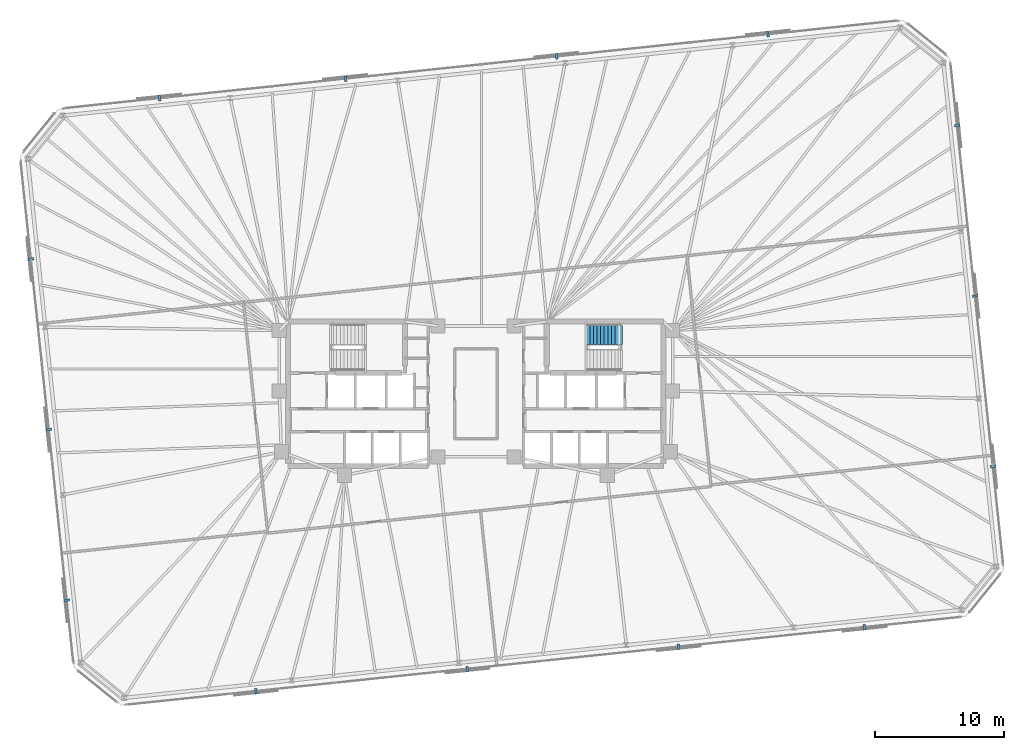
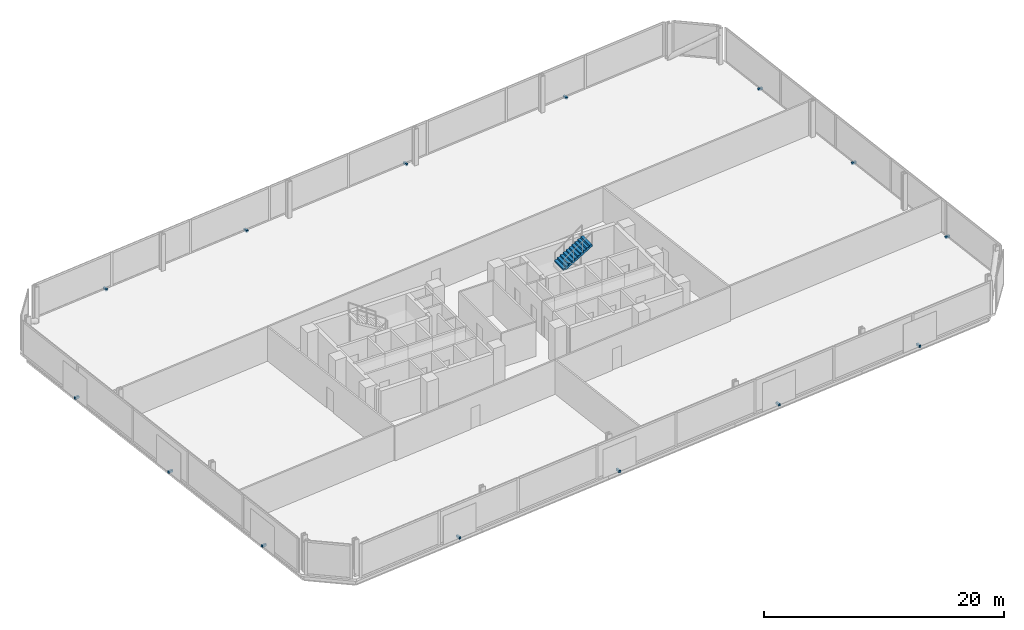
# One storey, part 16 of 17: 14 discrete accessories, 1 stair flight, 1 element without a shape of its own.
"""IFC4 building model written with IfcOpenShell, lengths in metres."""

from ifc_helpers import new_model, si_unit, direction, frame, origin, origin_2d, place, context, subcontext, project, spatial, polyline, rectangle, outline, extrude, material, type_object, element, aggregate, save


model = new_model("IFC4")

# Units and contexts
model_context = context("Model", 3, precision=1e-05, world=origin(), true_north=direction((0.0, 1.0)))
body_context = subcontext(model_context, "Body", "Model", "MODEL_VIEW")
ifc_project = project(units=[si_unit("LENGTHUNIT", "METRE"), si_unit("AREAUNIT", "SQUARE_METRE"), si_unit("VOLUMEUNIT", "CUBIC_METRE"), si_unit("PLANEANGLEUNIT", "RADIAN"), si_unit("MASSUNIT", "GRAM", prefix="KILO")], contexts=[model_context])

# Site, building, storey
site_placement = place(None, origin())
site = spatial("IfcSite", under=ifc_project, at=site_placement, CompositionType="ELEMENT")
building_placement = place(site_placement, origin())
building = spatial("IfcBuilding", under=site, at=building_placement, Name="Menara Jurai Vektor", CompositionType="ELEMENT")
storey_placement = place(building_placement, frame((0.0, 0.0, 87.39990234375)))
storey = spatial("IfcBuildingStorey", under=building, at=storey_placement, Name="L21", CompositionType="ELEMENT", Elevation=87.39990234375)

# Stair, stair flight
ifc_material_1 = material(Name="Concrete C40/50", Category="concrete")
stair_type = type_object("IfcStairType", Name="STAIR-DOGLEG-1500", PredefinedType="HALF_TURN_STAIR", material=ifc_material_1)
stair_placement = place(storey_placement, origin())
stair = element("IfcStair", 1, at=stair_placement, inside=storey, type_object=stair_type, Name="Protected Exit Stair ST2 L21", PredefinedType="HALF_TURN_STAIR")
stair_flight_type = type_object("IfcStairFlightType", Name="STAIR-FLIGHT-1500", PredefinedType="STRAIGHT", material=ifc_material_1)
stair_flight_placement = place(storey_placement, frame((8.550048828125, 4.550048828125, 1.85009765625), z_axis=(0.0, 0.0, 1.0), x_axis=(1.0, 0.0, 0.0)))
stair_flight = element("IfcStairFlight", 2, at=stair_flight_placement, type_object=stair_flight_type, Name="ST2 flight 2", NumberOfRisers=11, NumberOfTreads=10, PredefinedType="STRAIGHT", RiserHeight=0.168182, TreadLength=0.28, context=body_context, shape_type="SweptSolid", body=[
    extrude(outline(polyline([(0.0, 0.0), (0.0, 0.168212890625), (0.280029296875, 0.168212890625), (0.280029296875, 0.33642578125), (0.56005859375, 0.33642578125), (0.56005859375, 0.504638671875), (0.840087890625, 0.504638671875), (0.840087890625, 0.672607421875), (1.1201171875, 0.672607421875), (1.1201171875, 0.8408203125), (1.39990234375, 0.8408203125), (1.39990234375, 1.009033203125), (1.679931640625, 1.009033203125), (1.679931640625, 1.17724609375), (1.9599609375, 1.17724609375), (1.9599609375, 1.345458984375), (2.239990234375, 1.345458984375), (2.239990234375, 1.513671875), (2.52001953125, 1.513671875), (2.52001953125, 1.681884765625), (2.800048828125, 1.681884765625), (2.800048828125, 1.85009765625), (2.800048828125, 1.495361328125), (0.310546875, 0.0), (0.0, 0.0)])), frame((0.0, 0.75, 0.0), z_axis=(0.0, -1.0, 0.0), x_axis=(1.0, 0.0, 0.0)), (0.0, 0.0, 1.0), 1.5),
])
aggregate(stair, [stair_flight])

# Discrete accessories
ifc_material_2 = material(Name="Steel S355", Category="steel")
discrete_accessory_type = type_object("IfcDiscreteAccessoryType", Name="ENV-ACC-BRACKET", PredefinedType="BRACKET", material=ifc_material_2)
for number, where, z_axis, x_axis, name in (
    (3, (-17.052001953125, -23.07470703125, -0.1298828125), (0.0, 0.0, 1.0), (0.994521895368, 0.104528463268, 0.0), "Solar Screen Stand-Off Bracket L21-S01"),
    (4, (-0.667236328125, -21.3525390625, -0.1298828125), (0.0, 0.0, 1.0), (0.994521895368, 0.104528463268, 0.0), "Solar Screen Stand-Off Bracket L21-S02"),
    (5, (15.717529296875, -19.63037109375, -0.1298828125), (0.0, 0.0, 1.0), (0.994521895368, 0.104528463268, 0.0), "Solar Screen Stand-Off Bracket L21-S03"),
    (6, (30.13623046875, -18.114990234375, -0.1298828125), (0.0, 0.0, 1.0), (0.994521895368, 0.104528463268, 0.0), "Solar Screen Stand-Off Bracket L21-S04"),
    (7, (40.105712890625, -5.648193359375, -0.1298828125), (0.0, 0.0, 1.0), (-0.104528463268, 0.994521895368, 0.0), "Solar Screen Stand-Off Bracket L21-S05"),
    (8, (38.71533203125, 7.5791015625, -0.1298828125), (0.0, 0.0, 1.0), (-0.104528463268, 0.994521895368, 0.0), "Solar Screen Stand-Off Bracket L21-S06"),
    (9, (37.3251953125, 20.80615234375, -0.1298828125), (0.0, 0.0, 1.0), (-0.104528463268, 0.994521895368, 0.0), "Solar Screen Stand-Off Bracket L21-S07"),
    (10, (22.65185546875, 27.87451171875, -0.1298828125), (0.0, 0.0, 1.0), (-0.994521895368, -0.104528463268, 0.0), "Solar Screen Stand-Off Bracket L21-S08"),
    (11, (6.26708984375, 26.152587890625, -0.1298828125), (0.0, 0.0, 1.0), (-0.994521895368, -0.104528463268, 0.0), "Solar Screen Stand-Off Bracket L21-S09"),
    (12, (-10.11767578125, 24.430419921875, -0.1298828125), (0.0, 0.0, 1.0), (-0.994521895368, -0.104528463268, 0.0), "Solar Screen Stand-Off Bracket L21-S10"),
    (13, (-24.5361328125, 22.9150390625, -0.1298828125), (0.0, 0.0, 1.0), (-0.994521895368, -0.104528463268, 0.0), "Solar Screen Stand-Off Bracket L21-S11"),
    (14, (-34.505615234375, 10.447998046875, -0.1298828125), (0.0, 0.0, 1.0), (0.104528463268, -0.994521895368, 0.0), "Solar Screen Stand-Off Bracket L21-S12"),
    (15, (-33.115478515625, -2.779052734375, -0.1298828125), (0.0, 0.0, 1.0), (0.104528463268, -0.994521895368, 0.0), "Solar Screen Stand-Off Bracket L21-S13"),
    (16, (-31.72509765625, -16.006103515625, -0.1298828125), (0.0, 0.0, 1.0), (0.104528463268, -0.994521895368, 0.0), "Solar Screen Stand-Off Bracket L21-S14"),
):
    element("IfcDiscreteAccessory", number, at=place(storey_placement, frame(where, z_axis=z_axis, x_axis=x_axis)), inside=storey, type_object=discrete_accessory_type, Name=name, PredefinedType="BRACKET", context=body_context, shape_type="SweptSolid", body=[
        extrude(rectangle(XDim=0.179931640625, YDim=0.43994140625, at=origin_2d()), origin(), (0.0, 0.0, 1.0), 0.219970703125),
    ])

save(model, "model.ifc")
